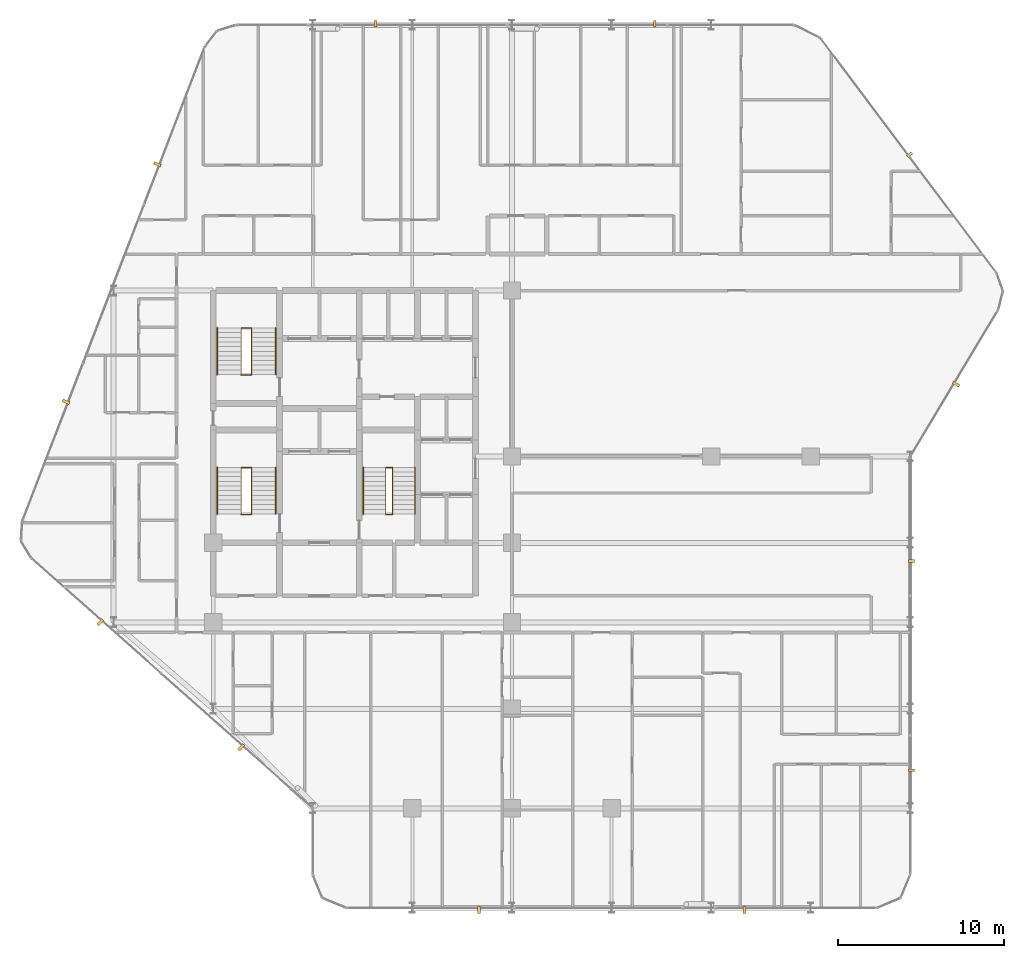
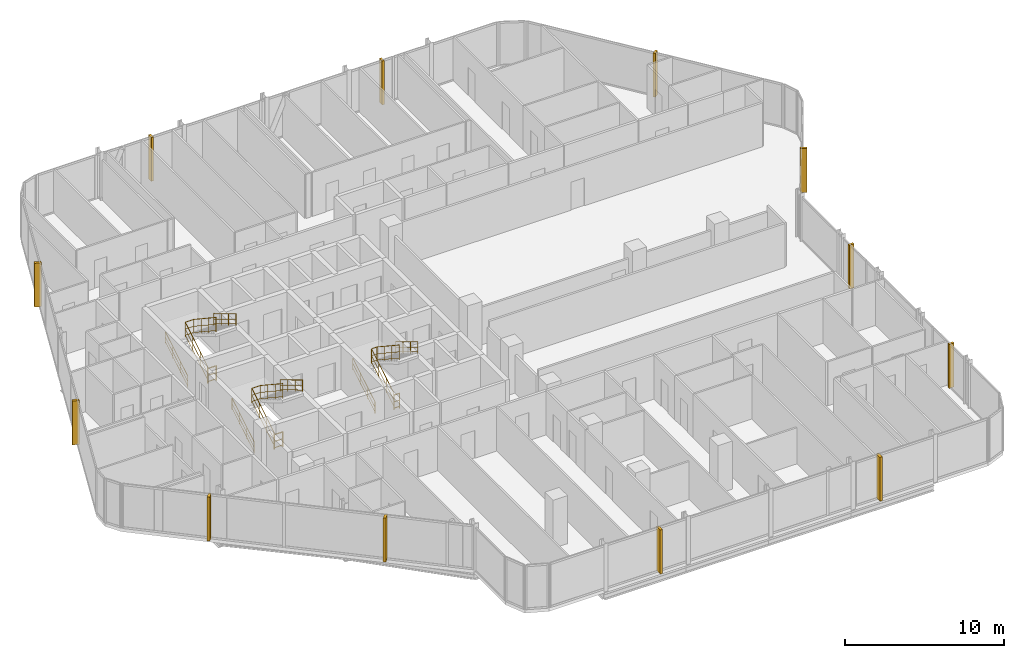
# One storey, part 30 of 30: 12 coverings, 12 railings.
"""IFC4 building model written with IfcOpenShell, lengths in metres."""

import ifcopenshell
import ifcopenshell.guid

model = None  # the IFC model being written
_history = None  # IfcOwnerHistory: only IFC2X3 demands one
_inside = {}  # id of a spatial element -> (the spatial element, [elements in it])
_under = {}  # id of a project, library or spatial element -> (it, [spatial elements below it])
_declared = {}  # id of a project -> (the project, [libraries it declares])
_typed = {}  # id of a type object -> (the type object, [elements of that type])
_made_of = {}  # id of a material, layer set ... -> (it, [elements and type objects made of it])


def new_model(schema):
    """Start an empty IFC model of exactly this schema.

    Asked for "IFC4X3", IfcOpenShell would pick the latest addendum, in which some entities
    have other attributes; the version numbers below select the first issue.
    IFC2X3 requires an IfcOwnerHistory on every rooted entity: one is made here for all.
    """
    global model, _history
    if schema == "IFC4X3":
        model = ifcopenshell.file(schema_version=(4, 3, 0, 0))
    else:
        model = ifcopenshell.file(schema=schema)
    _inside.clear()
    _under.clear()
    _declared.clear()
    _typed.clear()
    _made_of.clear()
    _history = None
    if model.schema == "IFC2X3":
        org = make("IfcOrganization", Name="unknown")
        user = make(
            "IfcPersonAndOrganization",
            ThePerson=make("IfcPerson", FamilyName="unknown"),
            TheOrganization=org,
        )
        app = make(
            "IfcApplication",
            ApplicationDeveloper=org,
            Version="unknown",
            ApplicationFullName="unknown",
            ApplicationIdentifier="unknown",
        )
        _history = make(
            "IfcOwnerHistory",
            OwningUser=user,
            OwningApplication=app,
            ChangeAction="ADDED",
            CreationDate=0,
        )
    return model


def make(cls, **values):
    """One entity of the class cls with the attributes given. An attribute that is None is left unset."""
    return model.create_entity(
        cls, **{name: value for name, value in values.items() if value is not None}
    )


def rooted(cls, **values):
    """An entity with a GlobalId (a new one), such as an element, a storey or a relation."""
    return make(cls, GlobalId=ifcopenshell.guid.new(), OwnerHistory=_history, **values)


def si_unit(unit_type, name, prefix=None):
    """IfcSIUnit, for example si_unit("LENGTHUNIT", "METRE", prefix="MILLI")."""
    return make("IfcSIUnit", UnitType=unit_type, Prefix=prefix, Name=name)


def assignment(units):
    """IfcUnitAssignment: the units of a project."""
    return None if units is None else make("IfcUnitAssignment", Units=units)


def point(xyz):
    """IfcCartesianPoint."""
    return None if xyz is None else make("IfcCartesianPoint", Coordinates=xyz)


def direction(xyz):
    """IfcDirection."""
    return None if xyz is None else make("IfcDirection", DirectionRatios=xyz)


def frame(location, z_axis=None, x_axis=None):
    """IfcAxis2Placement3D, a coordinate frame: its origin and axes. An axis left out is left unset."""
    return make(
        "IfcAxis2Placement3D",
        Location=point(location),
        Axis=direction(z_axis),
        RefDirection=direction(x_axis),
    )


def frame_2d(location, x_axis=None):
    """IfcAxis2Placement2D, a coordinate frame in the plane: its origin and x axis."""
    return make(
        "IfcAxis2Placement2D", Location=point(location), RefDirection=direction(x_axis)
    )


def origin():
    """The frame at (0, 0, 0) with its axes left unset."""
    return frame((0.0, 0.0, 0.0))


def origin_2d():
    """The frame at (0, 0) in the plane with its x axis left unset."""
    return frame_2d((0.0, 0.0))


def place(relative_to, where):
    """IfcLocalPlacement: puts the frame where relative to a parent placement (None: the world)."""
    return make(
        "IfcLocalPlacement", PlacementRelTo=relative_to, RelativePlacement=where
    )


def context(
    kind, dimensions, precision=None, world=None, true_north=None, identifier=None
):
    """IfcGeometricRepresentationContext, for example the 3D "Model" context."""
    return make(
        "IfcGeometricRepresentationContext",
        ContextIdentifier=identifier,
        ContextType=kind,
        CoordinateSpaceDimension=dimensions,
        Precision=precision,
        WorldCoordinateSystem=world,
        TrueNorth=true_north,
    )


def subcontext(parent, identifier, kind, view, scale=None):
    """IfcGeometricRepresentationSubContext, for example "Body" below "Model"."""
    return make(
        "IfcGeometricRepresentationSubContext",
        ContextIdentifier=identifier,
        ContextType=kind,
        ParentContext=parent,
        TargetScale=scale,
        TargetView=view,
    )


def project(units=None, contexts=None):
    """IfcProject with its units and contexts."""
    return rooted(
        "IfcProject",
        Name="project",
        RepresentationContexts=contexts,
        UnitsInContext=assignment(units),
    )


def spatial(cls, under=None, at=None, **own):
    """A site, building, storey or space (cls), placed at a placement, below another one or the project."""
    s = rooted(cls, ObjectPlacement=at, **own)
    if under is not None:
        _under.setdefault(under.id(), (under, []))[1].append(s)
    return s


def profile(cls, at=None, kind="AREA", **sizes):
    """A parametric profile (cls). Its sizes go by their IFC names, for example OverallWidth=200.0."""
    return make(cls, ProfileType=kind, Position=at, **sizes)


def rectangle(**sizes):
    """IfcRectangleProfileDef."""
    return profile("IfcRectangleProfileDef", **sizes)


def circle(**sizes):
    """IfcCircleProfileDef."""
    return profile("IfcCircleProfileDef", **sizes)


def extrude(swept, where, along, depth):
    """IfcExtrudedAreaSolid: the profile swept, set in the frame where, extruded along a direction by depth."""
    return make(
        "IfcExtrudedAreaSolid",
        SweptArea=swept,
        Position=where,
        ExtrudedDirection=direction(along),
        Depth=depth,
    )


def shape(context_of_items, identifier, shape_type, items):
    """IfcShapeRepresentation: the items that make up one representation, for example the "Body"."""
    return make(
        "IfcShapeRepresentation",
        ContextOfItems=context_of_items,
        RepresentationIdentifier=identifier,
        RepresentationType=shape_type,
        Items=items,
    )


def material(Name=None, Category=None):
    """IfcMaterial."""
    return make("IfcMaterial", Name=Name, Category=Category)


def layer(
    of_material, thickness, ventilated=None, Name=None, Category=None, Priority=None
):
    """IfcMaterialLayer: one layer of a wall or slab, of a material (None: an air gap)."""
    return make(
        "IfcMaterialLayer",
        Material=of_material,
        LayerThickness=thickness,
        IsVentilated=ventilated,
        Name=Name,
        Category=Category,
        Priority=Priority,
    )


def layer_set(layers, Name=None):
    """IfcMaterialLayerSet."""
    return make("IfcMaterialLayerSet", MaterialLayers=layers, LayerSetName=Name)


def made_of(thing, what):
    """Note that an element or type object is made of a material, layer set ...; save() writes the relation."""
    if what is not None:
        _made_of.setdefault(what.id(), (what, []))[1].append(thing)
    return thing


def type_object(cls, material=None, **own):
    """A type object (cls), such as IfcWallType, which elements share."""
    return made_of(rooted(cls, **own), material)


def element(
    cls,
    number,
    at=None,
    inside=None,
    cuts=None,
    type_object=None,
    material=None,
    context=None,
    identifier="Body",
    shape_type=None,
    held_by="IfcProductDefinitionShape",
    body=None,
    shapes=None,
    **own,
):
    """One element of the class cls, such as IfcWall. Its Tag is "e" and its number.

    at: its placement. inside: the storey or other place that contains it. cuts: it is an
    opening in that element (IfcRelVoidsElement). A single representation is given by context,
    identifier, shape_type and body (its items); several are given by shapes. held_by: the class
    of the entity that holds the representations. save() writes the other relations.
    """
    e = rooted(cls, Tag="e%d" % number, ObjectPlacement=at, **own)
    if body is not None:
        shapes = [shape(context, identifier, shape_type, body)]
    if shapes is not None:
        e.Representation = make(held_by, Representations=shapes)
    if inside is not None:
        _inside.setdefault(inside.id(), (inside, []))[1].append(e)
    if cuts is not None:
        rooted(
            "IfcRelVoidsElement", RelatingBuildingElement=cuts, RelatedOpeningElement=e
        )
    if type_object is not None:
        _typed.setdefault(type_object.id(), (type_object, []))[1].append(e)
    return made_of(e, material)


def aggregate(whole, parts):
    """IfcRelAggregates: a whole, such as a stair, and the parts it consists of."""
    return rooted("IfcRelAggregates", RelatingObject=whole, RelatedObjects=parts)


def save(model, path):
    """Write the relations noted so far, then the file.

    IfcRelAggregates (storeys below a building ...), IfcRelContainedInSpatialStructure (elements
    in a storey), IfcRelDefinesByType, IfcRelAssociatesMaterial and IfcRelDeclares: one each for
    every whole, place, type object, material and project.
    """
    for whole, parts in _under.values():
        aggregate(whole, parts)
    for where, things in _inside.values():
        rooted(
            "IfcRelContainedInSpatialStructure",
            RelatedElements=things,
            RelatingStructure=where,
        )
    for kind, things in _typed.values():
        rooted("IfcRelDefinesByType", RelatedObjects=things, RelatingType=kind)
    for what, things in _made_of.values():
        rooted("IfcRelAssociatesMaterial", RelatedObjects=things, RelatingMaterial=what)
    for by, libraries in _declared.values():
        rooted("IfcRelDeclares", RelatingContext=by, RelatedDefinitions=libraries)
    model.write(path)


model = new_model("IFC4")

# Units and contexts
model_context = context("Model", 3, precision=1e-05, world=origin(), true_north=direction((0.0, 1.0)))
body_context = subcontext(model_context, "Body", "Model", "MODEL_VIEW")
ifc_project = project(units=[si_unit("LENGTHUNIT", "METRE"), si_unit("AREAUNIT", "SQUARE_METRE"), si_unit("VOLUMEUNIT", "CUBIC_METRE"), si_unit("PLANEANGLEUNIT", "RADIAN"), si_unit("MASSUNIT", "GRAM", prefix="KILO")], contexts=[model_context])

# Site, building, storey
site_placement = place(None, origin())
site = spatial("IfcSite", under=ifc_project, at=site_placement, CompositionType="ELEMENT")
building_placement = place(site_placement, origin())
building = spatial("IfcBuilding", under=site, at=building_placement, Name="Keshet Zoharim Tower", CompositionType="ELEMENT")
storey_placement = place(building_placement, frame((0.0, 0.0, 116.800048828125)))
storey = spatial("IfcBuildingStorey", under=building, at=storey_placement, Name="L28", CompositionType="ELEMENT", Elevation=116.800048828125)

# Coverings
ifc_material_1 = material(Name="Concrete C50/60 precast", Category="concrete")
covering_type_1 = type_object("IfcCoveringType", Name="FIN-SOL-360", PredefinedType="CLADDING", material=ifc_material_1)
for number, where, z_axis, x_axis, name in (
    (1, (24.780029296875, 53.97998046875, 0.0), (0.0, 0.0, 1.0), (1.0, 0.0, 0.0), "L28 Vertical Precast Solar Fin 07"),
    (2, (41.593994140625, 53.97998046875, 0.0), (0.0, 0.0, 1.0), (1.0, 0.0, 0.0), "L28 Vertical Precast Solar Fin 08"),
    (3, (56.9609375, 46.0859375, 0.0), (0.0, 0.0, 1.0), (0.600000000002, -0.799999999998, 0.0), "L28 Vertical Precast Solar Fin 09"),
    (4, (57.080078125, 21.60009765625, 0.0), (0.0, 0.0, 1.0), (0.0, -1.0, 0.0), "L28 Vertical Precast Solar Fin 11"),
    (5, (57.080078125, 9.0, 0.0), (0.0, 0.0, 1.0), (0.0, -1.0, 0.0), "L28 Vertical Precast Solar Fin 12"),
):
    element("IfcCovering", number, at=place(storey_placement, frame(where, z_axis=z_axis, x_axis=x_axis)), inside=storey, type_object=covering_type_1, Name=name, PredefinedType="CLADDING", context=body_context, shape_type="SweptSolid", body=[
        extrude(rectangle(XDim=0.159912109375, YDim=0.360107421875, at=origin_2d()), origin(), (0.0, 0.0, 1.0), 3.3798828125),
    ])
covering_type_2 = type_object("IfcCoveringType", Name="FIN-SOL-450", PredefinedType="CLADDING", material=ifc_material_1)
for number, where, z_axis, x_axis, name in (
    (6, (47.0, 0.574951171875, 0.0), (0.0, 0.0, 1.0), (-1.0, 0.0, 0.0), "L28 Vertical Precast Solar Fin 01"),
    (7, (31.0, 0.574951171875, 0.0), (0.0, 0.0, 1.0), (-1.0, 0.0, 0.0), "L28 Vertical Precast Solar Fin 02"),
    (8, (16.676025390625, 10.376953125, 0.0), (0.0, 0.0, 1.0), (-0.747409318679, 0.664363838836, 0.0), "L28 Vertical Precast Solar Fin 03"),
    (9, (8.193115234375, 17.9169921875, 0.0), (0.0, 0.0, 1.0), (-0.747409318679, 0.664363838836, 0.0), "L28 Vertical Precast Solar Fin 04"),
    (10, (6.133056640625, 31.194091796875, 0.0), (0.0, 0.0, 1.0), (0.358990003907, 0.933341404361, 0.0), "L28 Vertical Precast Solar Fin 05"),
    (11, (11.637939453125, 45.507080078125, 0.0), (0.0, 0.0, 1.0), (0.358990003907, 0.933341404361, 0.0), "L28 Vertical Precast Solar Fin 06"),
    (12, (59.760986328125, 32.259033203125, 0.0), (0.0, 0.0, 1.0), (-0.514481501576, -0.857501477862, 0.0), "L28 Vertical Precast Solar Fin 10"),
):
    element("IfcCovering", number, at=place(storey_placement, frame(where, z_axis=z_axis, x_axis=x_axis)), inside=storey, type_object=covering_type_2, Name=name, PredefinedType="CLADDING", context=body_context, shape_type="SweptSolid", body=[
        extrude(rectangle(XDim=0.179931640625, YDim=0.449951171875, at=origin_2d()), origin(), (0.0, 0.0, 1.0), 3.3798828125),
    ])

# Railings
ifc_material_2 = material(Name="Steel S355", Category="steel")
ifc_layer_1 = layer(ifc_material_2, 0.050048828125)
ifc_layer_set_1 = layer_set([ifc_layer_1], Name="Steel S355")
railing_type_1 = type_object("IfcRailingType", Name="RL-HND-092", PredefinedType="HANDRAIL", material=ifc_layer_set_1)
railing_1_placement = place(storey_placement, frame((15.239990234375, 24.43994140625, 0.168212890625)))
element("IfcRailing", 13, at=railing_1_placement, inside=storey, type_object=railing_type_1, Name="L28 ST-01 Flight 1 Wall Handrail", PredefinedType="HANDRAIL", context=body_context, shape_type="SweptSolid", body=[
    extrude(circle(Radius=0.02392578125, at=origin_2d()), frame((0.0, 0.0, 0.89599609375), z_axis=(0.0, 0.857275202839, 0.514858452973), x_axis=(-1.0, 0.0, 0.0)), (0.0, 0.0, 1.0), 3.26611328125),
    extrude(circle(Radius=0.01611328125, at=origin_2d()), frame((0.0, 0.0, 0.478271484375), z_axis=(0.0, 0.857275202839, 0.514858452973), x_axis=(-1.0, 0.0, 0.0)), (0.0, 0.0, 1.0), 3.26611328125),
    extrude(circle(Radius=0.01611328125, at=origin_2d()), frame((0.0, 0.0, 0.1201171875), z_axis=(0.0, 0.857275202839, 0.514858452973), x_axis=(-1.0, 0.0, 0.0)), (0.0, 0.0, 1.0), 3.26611328125),
    extrude(circle(Radius=0.02099609375, at=origin_2d()), origin(), (0.0, 0.0, 1.0), 0.871826171875),
    extrude(circle(Radius=0.02099609375, at=origin_2d()), frame((0.0, 0.933349609375, 0.560546875)), (0.0, 0.0, 1.0), 0.871826171875),
    extrude(circle(Radius=0.02099609375, at=origin_2d()), frame((0.0, 1.86669921875, 1.12109375)), (0.0, 0.0, 1.0), 0.871826171875),
    extrude(circle(Radius=0.02099609375, at=origin_2d()), frame((0.0, 2.800048828125, 1.681640625)), (0.0, 0.0, 1.0), 0.871826171875),
])
railing_2_placement = place(storey_placement, frame((18.760009765625, 27.239990234375, 2.01806640625)))
element("IfcRailing", 14, at=railing_2_placement, inside=storey, type_object=railing_type_1, Name="L28 ST-01 Flight 2 Wall Handrail", PredefinedType="HANDRAIL", context=body_context, shape_type="SweptSolid", body=[
    extrude(circle(Radius=0.02392578125, at=origin_2d()), frame((0.0, 0.0, 0.89599609375), z_axis=(0.0, -0.857242210791, 0.514913383045), x_axis=(1.0, 0.0, 0.0)), (0.0, 0.0, 1.0), 3.266357421875),
    extrude(circle(Radius=0.01611328125, at=origin_2d()), frame((0.0, 0.0, 0.478271484375), z_axis=(0.0, -0.857242210791, 0.514913383045), x_axis=(1.0, 0.0, 0.0)), (0.0, 0.0, 1.0), 3.266357421875),
    extrude(circle(Radius=0.01611328125, at=origin_2d()), frame((0.0, 0.0, 0.1201171875), z_axis=(0.0, -0.857242210791, 0.514913383045), x_axis=(1.0, 0.0, 0.0)), (0.0, 0.0, 1.0), 3.266357421875),
    extrude(circle(Radius=0.02099609375, at=origin_2d()), origin(), (0.0, 0.0, 1.0), 0.871826171875),
    extrude(circle(Radius=0.02099609375, at=origin_2d()), frame((0.0, -0.933349609375, 0.560546875)), (0.0, 0.0, 1.0), 0.871826171875),
    extrude(circle(Radius=0.02099609375, at=origin_2d()), frame((0.0, -1.86669921875, 1.121337890625)), (0.0, 0.0, 1.0), 0.871826171875),
    extrude(circle(Radius=0.02099609375, at=origin_2d()), frame((0.0, -2.800048828125, 1.681884765625)), (0.0, 0.0, 1.0), 0.871826171875),
])
railing_3_placement = place(storey_placement, frame((15.239990234375, 32.840087890625, 0.168212890625)))
element("IfcRailing", 15, at=railing_3_placement, inside=storey, type_object=railing_type_1, Name="L28 ST-02 Flight 1 Wall Handrail", PredefinedType="HANDRAIL", context=body_context, shape_type="SweptSolid", body=[
    extrude(circle(Radius=0.02392578125, at=origin_2d()), frame((0.0, 0.0, 0.89599609375), z_axis=(0.0, 0.857255387014, 0.514891446264), x_axis=(-1.0, 0.0, 0.0)), (0.0, 0.0, 1.0), 3.26611328125),
    extrude(circle(Radius=0.01611328125, at=origin_2d()), frame((0.0, 0.0, 0.478271484375), z_axis=(0.0, 0.857255387014, 0.514891446264), x_axis=(-1.0, 0.0, 0.0)), (0.0, 0.0, 1.0), 3.26611328125),
    extrude(circle(Radius=0.01611328125, at=origin_2d()), frame((0.0, 0.0, 0.1201171875), z_axis=(0.0, 0.857255387014, 0.514891446264), x_axis=(-1.0, 0.0, 0.0)), (0.0, 0.0, 1.0), 3.26611328125),
    extrude(circle(Radius=0.02099609375, at=origin_2d()), origin(), (0.0, 0.0, 1.0), 0.871826171875),
    extrude(circle(Radius=0.02099609375, at=origin_2d()), frame((0.0, 0.933349609375, 0.560546875)), (0.0, 0.0, 1.0), 0.871826171875),
    extrude(circle(Radius=0.02099609375, at=origin_2d()), frame((0.0, 1.866455078125, 1.12109375)), (0.0, 0.0, 1.0), 0.871826171875),
    extrude(circle(Radius=0.02099609375, at=origin_2d()), frame((0.0, 2.7998046875, 1.681640625)), (0.0, 0.0, 1.0), 0.871826171875),
])
railing_4_placement = place(storey_placement, frame((18.760009765625, 35.639892578125, 2.01806640625)))
element("IfcRailing", 16, at=railing_4_placement, inside=storey, type_object=railing_type_1, Name="L28 ST-02 Flight 2 Wall Handrail", PredefinedType="HANDRAIL", context=body_context, shape_type="SweptSolid", body=[
    extrude(circle(Radius=0.02392578125, at=origin_2d()), frame((0.0, 0.0, 0.89599609375), z_axis=(0.0, -0.857222391501, 0.514946377315), x_axis=(1.0, 0.0, 0.0)), (0.0, 0.0, 1.0), 3.26611328125),
    extrude(circle(Radius=0.01611328125, at=origin_2d()), frame((0.0, 0.0, 0.478271484375), z_axis=(0.0, -0.857222391501, 0.514946377315), x_axis=(1.0, 0.0, 0.0)), (0.0, 0.0, 1.0), 3.26611328125),
    extrude(circle(Radius=0.01611328125, at=origin_2d()), frame((0.0, 0.0, 0.1201171875), z_axis=(0.0, -0.857222391501, 0.514946377315), x_axis=(1.0, 0.0, 0.0)), (0.0, 0.0, 1.0), 3.26611328125),
    extrude(circle(Radius=0.02099609375, at=origin_2d()), origin(), (0.0, 0.0, 1.0), 0.871826171875),
    extrude(circle(Radius=0.02099609375, at=origin_2d()), frame((0.0, -0.933349609375, 0.560546875)), (0.0, 0.0, 1.0), 0.871826171875),
    extrude(circle(Radius=0.02099609375, at=origin_2d()), frame((0.0, -1.866455078125, 1.121337890625)), (0.0, 0.0, 1.0), 0.871826171875),
    extrude(circle(Radius=0.02099609375, at=origin_2d()), frame((0.0, -2.7998046875, 1.681884765625)), (0.0, 0.0, 1.0), 0.871826171875),
])
railing_5_placement = place(storey_placement, frame((24.0400390625, 24.43994140625, 0.168212890625)))
element("IfcRailing", 17, at=railing_5_placement, inside=storey, type_object=railing_type_1, Name="L28 ST-03 Flight 1 Wall Handrail", PredefinedType="HANDRAIL", context=body_context, shape_type="SweptSolid", body=[
    extrude(circle(Radius=0.02392578125, at=origin_2d()), frame((0.0, 0.0, 0.89599609375), z_axis=(0.0, 0.857275202839, 0.514858452973), x_axis=(-1.0, 0.0, 0.0)), (0.0, 0.0, 1.0), 3.26611328125),
    extrude(circle(Radius=0.01611328125, at=origin_2d()), frame((0.0, 0.0, 0.478271484375), z_axis=(0.0, 0.857275202839, 0.514858452973), x_axis=(-1.0, 0.0, 0.0)), (0.0, 0.0, 1.0), 3.26611328125),
    extrude(circle(Radius=0.01611328125, at=origin_2d()), frame((0.0, 0.0, 0.1201171875), z_axis=(0.0, 0.857275202839, 0.514858452973), x_axis=(-1.0, 0.0, 0.0)), (0.0, 0.0, 1.0), 3.26611328125),
    extrude(circle(Radius=0.02099609375, at=origin_2d()), origin(), (0.0, 0.0, 1.0), 0.871826171875),
    extrude(circle(Radius=0.02099609375, at=origin_2d()), frame((0.0, 0.933349609375, 0.560546875)), (0.0, 0.0, 1.0), 0.871826171875),
    extrude(circle(Radius=0.02099609375, at=origin_2d()), frame((0.0, 1.86669921875, 1.12109375)), (0.0, 0.0, 1.0), 0.871826171875),
    extrude(circle(Radius=0.02099609375, at=origin_2d()), frame((0.0, 2.800048828125, 1.681640625)), (0.0, 0.0, 1.0), 0.871826171875),
])
railing_6_placement = place(storey_placement, frame((27.159912109375, 27.239990234375, 2.01806640625)))
element("IfcRailing", 18, at=railing_6_placement, inside=storey, type_object=railing_type_1, Name="L28 ST-03 Flight 2 Wall Handrail", PredefinedType="HANDRAIL", context=body_context, shape_type="SweptSolid", body=[
    extrude(circle(Radius=0.02392578125, at=origin_2d()), frame((0.0, 0.0, 0.89599609375), z_axis=(0.0, -0.857242210791, 0.514913383045), x_axis=(1.0, 0.0, 0.0)), (0.0, 0.0, 1.0), 3.266357421875),
    extrude(circle(Radius=0.01611328125, at=origin_2d()), frame((0.0, 0.0, 0.478271484375), z_axis=(0.0, -0.857242210791, 0.514913383045), x_axis=(1.0, 0.0, 0.0)), (0.0, 0.0, 1.0), 3.266357421875),
    extrude(circle(Radius=0.01611328125, at=origin_2d()), frame((0.0, 0.0, 0.1201171875), z_axis=(0.0, -0.857242210791, 0.514913383045), x_axis=(1.0, 0.0, 0.0)), (0.0, 0.0, 1.0), 3.266357421875),
    extrude(circle(Radius=0.02099609375, at=origin_2d()), origin(), (0.0, 0.0, 1.0), 0.871826171875),
    extrude(circle(Radius=0.02099609375, at=origin_2d()), frame((0.0, -0.933349609375, 0.560546875)), (0.0, 0.0, 1.0), 0.871826171875),
    extrude(circle(Radius=0.02099609375, at=origin_2d()), frame((0.0, -1.86669921875, 1.121337890625)), (0.0, 0.0, 1.0), 0.871826171875),
    extrude(circle(Radius=0.02099609375, at=origin_2d()), frame((0.0, -2.800048828125, 1.681884765625)), (0.0, 0.0, 1.0), 0.871826171875),
])
ifc_layer_2 = layer(ifc_material_2, 0.06005859375)
ifc_layer_set_2 = layer_set([ifc_layer_2], Name="Steel S355")
railing_type_2 = type_object("IfcRailingType", Name="RL-STG-115", PredefinedType="GUARDRAIL", material=ifc_layer_set_2)
railing_7_placement = place(storey_placement, frame((16.68994140625, 24.43994140625, 0.168212890625)))
element("IfcRailing", 19, at=railing_7_placement, inside=storey, type_object=railing_type_2, Name="L28 ST-01 Inner Well Guardrail", PredefinedType="GUARDRAIL", context=body_context, shape_type="SweptSolid", body=[
    extrude(circle(Radius=0.02392578125, at=origin_2d()), frame((0.0, 0.0, 1.1259765625), z_axis=(0.0, 0.857275202839, 0.514858452973), x_axis=(-1.0, 0.0, 0.0)), (0.0, 0.0, 1.0), 3.26611328125),
    extrude(circle(Radius=0.01611328125, at=origin_2d()), frame((0.0, 0.0, 0.597900390625), z_axis=(0.0, 0.857275202839, 0.514858452973), x_axis=(-1.0, 0.0, 0.0)), (0.0, 0.0, 1.0), 3.26611328125),
    extrude(circle(Radius=0.01611328125, at=origin_2d()), frame((0.0, 0.0, 0.1201171875), z_axis=(0.0, 0.857275202839, 0.514858452973), x_axis=(-1.0, 0.0, 0.0)), (0.0, 0.0, 1.0), 3.26611328125),
    extrude(circle(Radius=0.02392578125, at=origin_2d()), frame((0.0, 2.800048828125, 2.8076171875), z_axis=(1.0, 0.0, 0.0), x_axis=(0.0, 1.0, 0.0)), (0.0, 0.0, 1.0), 0.6201171875),
    extrude(circle(Radius=0.01611328125, at=origin_2d()), frame((0.0, 2.800048828125, 2.279541015625), z_axis=(1.0, 0.0, 0.0), x_axis=(0.0, 1.0, 0.0)), (0.0, 0.0, 1.0), 0.6201171875),
    extrude(circle(Radius=0.01611328125, at=origin_2d()), frame((0.0, 2.800048828125, 1.8017578125), z_axis=(1.0, 0.0, 0.0), x_axis=(0.0, 1.0, 0.0)), (0.0, 0.0, 1.0), 0.6201171875),
    extrude(circle(Radius=0.02392578125, at=origin_2d()), frame((0.6201171875, 2.800048828125, 2.8076171875), z_axis=(0.0, -0.834326358476, 0.551270829586), x_axis=(1.0, 0.0, 0.0)), (0.0, 0.0, 1.0), 3.35595703125),
    extrude(circle(Radius=0.01611328125, at=origin_2d()), frame((0.6201171875, 2.800048828125, 2.279541015625), z_axis=(0.0, -0.834326358476, 0.551270829586), x_axis=(1.0, 0.0, 0.0)), (0.0, 0.0, 1.0), 3.35595703125),
    extrude(circle(Radius=0.01611328125, at=origin_2d()), frame((0.6201171875, 2.800048828125, 1.8017578125), z_axis=(0.0, -0.834326358476, 0.551270829586), x_axis=(1.0, 0.0, 0.0)), (0.0, 0.0, 1.0), 3.35595703125),
    extrude(circle(Radius=0.02099609375, at=origin_2d()), origin(), (0.0, 0.0, 1.0), 1.101806640625),
    extrude(circle(Radius=0.02099609375, at=origin_2d()), frame((0.0, 0.933349609375, 0.560546875)), (0.0, 0.0, 1.0), 1.101806640625),
    extrude(circle(Radius=0.02099609375, at=origin_2d()), frame((0.0, 1.86669921875, 1.12109375)), (0.0, 0.0, 1.0), 1.101806640625),
    extrude(circle(Radius=0.02099609375, at=origin_2d()), frame((0.0, 2.800048828125, 1.681640625)), (0.0, 0.0, 1.0), 1.101806640625),
    extrude(circle(Radius=0.02099609375, at=origin_2d()), frame((0.6201171875, 2.800048828125, 1.681640625)), (0.0, 0.0, 1.0), 1.101806640625),
    extrude(circle(Radius=0.02099609375, at=origin_2d()), frame((0.6201171875, 1.86669921875, 2.29833984375)), (0.0, 0.0, 1.0), 1.101806640625),
    extrude(circle(Radius=0.02099609375, at=origin_2d()), frame((0.6201171875, 0.933349609375, 2.9150390625)), (0.0, 0.0, 1.0), 1.101806640625),
    extrude(circle(Radius=0.02099609375, at=origin_2d()), frame((0.6201171875, 0.0, 3.53173828125)), (0.0, 0.0, 1.0), 1.101806640625),
])
railing_8_placement = place(storey_placement, frame((16.68994140625, 24.409912109375, 0.0)))
element("IfcRailing", 20, at=railing_8_placement, inside=storey, type_object=railing_type_2, Name="L28 ST-01 Stairwell Floor Guardrail", PredefinedType="GUARDRAIL", context=body_context, shape_type="SweptSolid", body=[
    extrude(circle(Radius=0.02392578125, at=origin_2d()), frame((0.0, 0.0, 1.1259765625), z_axis=(1.0, 0.0, 0.0), x_axis=(0.0, 1.0, 0.0)), (0.0, 0.0, 1.0), 0.6201171875),
    extrude(circle(Radius=0.01611328125, at=origin_2d()), frame((0.0, 0.0, 0.597900390625), z_axis=(1.0, 0.0, 0.0), x_axis=(0.0, 1.0, 0.0)), (0.0, 0.0, 1.0), 0.6201171875),
    extrude(circle(Radius=0.01611328125, at=origin_2d()), frame((0.0, 0.0, 0.1201171875), z_axis=(1.0, 0.0, 0.0), x_axis=(0.0, 1.0, 0.0)), (0.0, 0.0, 1.0), 0.6201171875),
    extrude(circle(Radius=0.02099609375, at=origin_2d()), origin(), (0.0, 0.0, 1.0), 1.101806640625),
    extrude(circle(Radius=0.02099609375, at=origin_2d()), frame((0.6201171875, 0.0, 0.0)), (0.0, 0.0, 1.0), 1.101806640625),
])
railing_9_placement = place(storey_placement, frame((16.68994140625, 32.840087890625, 0.168212890625)))
element("IfcRailing", 21, at=railing_9_placement, inside=storey, type_object=railing_type_2, Name="L28 ST-02 Inner Well Guardrail", PredefinedType="GUARDRAIL", context=body_context, shape_type="SweptSolid", body=[
    extrude(circle(Radius=0.02392578125, at=origin_2d()), frame((0.0, 0.0, 1.1259765625), z_axis=(0.0, 0.857255387014, 0.514891446264), x_axis=(-1.0, 0.0, 0.0)), (0.0, 0.0, 1.0), 3.26611328125),
    extrude(circle(Radius=0.01611328125, at=origin_2d()), frame((0.0, 0.0, 0.597900390625), z_axis=(0.0, 0.857255387014, 0.514891446264), x_axis=(-1.0, 0.0, 0.0)), (0.0, 0.0, 1.0), 3.26611328125),
    extrude(circle(Radius=0.01611328125, at=origin_2d()), frame((0.0, 0.0, 0.1201171875), z_axis=(0.0, 0.857255387014, 0.514891446264), x_axis=(-1.0, 0.0, 0.0)), (0.0, 0.0, 1.0), 3.26611328125),
    extrude(circle(Radius=0.02392578125, at=origin_2d()), frame((0.0, 2.7998046875, 2.8076171875), z_axis=(1.0, 0.0, 0.0), x_axis=(0.0, 1.0, 0.0)), (0.0, 0.0, 1.0), 0.6201171875),
    extrude(circle(Radius=0.01611328125, at=origin_2d()), frame((0.0, 2.7998046875, 2.279541015625), z_axis=(1.0, 0.0, 0.0), x_axis=(0.0, 1.0, 0.0)), (0.0, 0.0, 1.0), 0.6201171875),
    extrude(circle(Radius=0.01611328125, at=origin_2d()), frame((0.0, 2.7998046875, 1.8017578125), z_axis=(1.0, 0.0, 0.0), x_axis=(0.0, 1.0, 0.0)), (0.0, 0.0, 1.0), 0.6201171875),
    extrude(circle(Radius=0.02392578125, at=origin_2d()), frame((0.6201171875, 2.7998046875, 2.8076171875), z_axis=(0.0, -0.834304248922, 0.551304290053), x_axis=(1.0, 0.0, 0.0)), (0.0, 0.0, 1.0), 3.35595703125),
    extrude(circle(Radius=0.01611328125, at=origin_2d()), frame((0.6201171875, 2.7998046875, 2.279541015625), z_axis=(0.0, -0.834304248922, 0.551304290053), x_axis=(1.0, 0.0, 0.0)), (0.0, 0.0, 1.0), 3.35595703125),
    extrude(circle(Radius=0.01611328125, at=origin_2d()), frame((0.6201171875, 2.7998046875, 1.8017578125), z_axis=(0.0, -0.834304248922, 0.551304290053), x_axis=(1.0, 0.0, 0.0)), (0.0, 0.0, 1.0), 3.35595703125),
    extrude(circle(Radius=0.02099609375, at=origin_2d()), origin(), (0.0, 0.0, 1.0), 1.101806640625),
    extrude(circle(Radius=0.02099609375, at=origin_2d()), frame((0.0, 0.933349609375, 0.560546875)), (0.0, 0.0, 1.0), 1.101806640625),
    extrude(circle(Radius=0.02099609375, at=origin_2d()), frame((0.0, 1.866455078125, 1.12109375)), (0.0, 0.0, 1.0), 1.101806640625),
    extrude(circle(Radius=0.02099609375, at=origin_2d()), frame((0.0, 2.7998046875, 1.681640625)), (0.0, 0.0, 1.0), 1.101806640625),
    extrude(circle(Radius=0.02099609375, at=origin_2d()), frame((0.6201171875, 2.7998046875, 1.681640625)), (0.0, 0.0, 1.0), 1.101806640625),
    extrude(circle(Radius=0.02099609375, at=origin_2d()), frame((0.6201171875, 1.866455078125, 2.29833984375)), (0.0, 0.0, 1.0), 1.101806640625),
    extrude(circle(Radius=0.02099609375, at=origin_2d()), frame((0.6201171875, 0.933349609375, 2.9150390625)), (0.0, 0.0, 1.0), 1.101806640625),
    extrude(circle(Radius=0.02099609375, at=origin_2d()), frame((0.6201171875, 0.0, 3.53173828125)), (0.0, 0.0, 1.0), 1.101806640625),
])
railing_10_placement = place(storey_placement, frame((16.68994140625, 32.81005859375, 0.0)))
element("IfcRailing", 22, at=railing_10_placement, inside=storey, type_object=railing_type_2, Name="L28 ST-02 Stairwell Floor Guardrail", PredefinedType="GUARDRAIL", context=body_context, shape_type="SweptSolid", body=[
    extrude(circle(Radius=0.02392578125, at=origin_2d()), frame((0.0, 0.0, 1.1259765625), z_axis=(1.0, 0.0, 0.0), x_axis=(0.0, 1.0, 0.0)), (0.0, 0.0, 1.0), 0.6201171875),
    extrude(circle(Radius=0.01611328125, at=origin_2d()), frame((0.0, 0.0, 0.597900390625), z_axis=(1.0, 0.0, 0.0), x_axis=(0.0, 1.0, 0.0)), (0.0, 0.0, 1.0), 0.6201171875),
    extrude(circle(Radius=0.01611328125, at=origin_2d()), frame((0.0, 0.0, 0.1201171875), z_axis=(1.0, 0.0, 0.0), x_axis=(0.0, 1.0, 0.0)), (0.0, 0.0, 1.0), 0.6201171875),
    extrude(circle(Radius=0.02099609375, at=origin_2d()), origin(), (0.0, 0.0, 1.0), 1.101806640625),
    extrude(circle(Radius=0.02099609375, at=origin_2d()), frame((0.6201171875, 0.0, 0.0)), (0.0, 0.0, 1.0), 1.101806640625),
])
railing_11_placement = place(storey_placement, frame((25.39990234375, 24.43994140625, 0.168212890625)))
element("IfcRailing", 23, at=railing_11_placement, inside=storey, type_object=railing_type_2, Name="L28 ST-03 Inner Well Guardrail", PredefinedType="GUARDRAIL", context=body_context, shape_type="SweptSolid", body=[
    extrude(circle(Radius=0.02392578125, at=origin_2d()), frame((0.0, 0.0, 1.1259765625), z_axis=(0.0, 0.857275202839, 0.514858452973), x_axis=(-1.0, 0.0, 0.0)), (0.0, 0.0, 1.0), 3.26611328125),
    extrude(circle(Radius=0.01611328125, at=origin_2d()), frame((0.0, 0.0, 0.597900390625), z_axis=(0.0, 0.857275202839, 0.514858452973), x_axis=(-1.0, 0.0, 0.0)), (0.0, 0.0, 1.0), 3.26611328125),
    extrude(circle(Radius=0.01611328125, at=origin_2d()), frame((0.0, 0.0, 0.1201171875), z_axis=(0.0, 0.857275202839, 0.514858452973), x_axis=(-1.0, 0.0, 0.0)), (0.0, 0.0, 1.0), 3.26611328125),
    extrude(circle(Radius=0.02392578125, at=origin_2d()), frame((0.0, 2.800048828125, 2.8076171875), z_axis=(1.0, 0.0, 0.0), x_axis=(0.0, 1.0, 0.0)), (0.0, 0.0, 1.0), 0.400146484375),
    extrude(circle(Radius=0.01611328125, at=origin_2d()), frame((0.0, 2.800048828125, 2.279541015625), z_axis=(1.0, 0.0, 0.0), x_axis=(0.0, 1.0, 0.0)), (0.0, 0.0, 1.0), 0.400146484375),
    extrude(circle(Radius=0.01611328125, at=origin_2d()), frame((0.0, 2.800048828125, 1.8017578125), z_axis=(1.0, 0.0, 0.0), x_axis=(0.0, 1.0, 0.0)), (0.0, 0.0, 1.0), 0.400146484375),
    extrude(circle(Radius=0.02392578125, at=origin_2d()), frame((0.400146484375, 2.800048828125, 2.8076171875), z_axis=(0.0, -0.834326358476, 0.551270829586), x_axis=(1.0, 0.0, 0.0)), (0.0, 0.0, 1.0), 3.35595703125),
    extrude(circle(Radius=0.01611328125, at=origin_2d()), frame((0.400146484375, 2.800048828125, 2.279541015625), z_axis=(0.0, -0.834326358476, 0.551270829586), x_axis=(1.0, 0.0, 0.0)), (0.0, 0.0, 1.0), 3.35595703125),
    extrude(circle(Radius=0.01611328125, at=origin_2d()), frame((0.400146484375, 2.800048828125, 1.8017578125), z_axis=(0.0, -0.834326358476, 0.551270829586), x_axis=(1.0, 0.0, 0.0)), (0.0, 0.0, 1.0), 3.35595703125),
    extrude(circle(Radius=0.02099609375, at=origin_2d()), origin(), (0.0, 0.0, 1.0), 1.101806640625),
    extrude(circle(Radius=0.02099609375, at=origin_2d()), frame((0.0, 0.933349609375, 0.560546875)), (0.0, 0.0, 1.0), 1.101806640625),
    extrude(circle(Radius=0.02099609375, at=origin_2d()), frame((0.0, 1.86669921875, 1.12109375)), (0.0, 0.0, 1.0), 1.101806640625),
    extrude(circle(Radius=0.02099609375, at=origin_2d()), frame((0.0, 2.800048828125, 1.681640625)), (0.0, 0.0, 1.0), 1.101806640625),
    extrude(circle(Radius=0.02099609375, at=origin_2d()), frame((0.400146484375, 2.800048828125, 1.681640625)), (0.0, 0.0, 1.0), 1.101806640625),
    extrude(circle(Radius=0.02099609375, at=origin_2d()), frame((0.400146484375, 1.86669921875, 2.29833984375)), (0.0, 0.0, 1.0), 1.101806640625),
    extrude(circle(Radius=0.02099609375, at=origin_2d()), frame((0.400146484375, 0.933349609375, 2.9150390625)), (0.0, 0.0, 1.0), 1.101806640625),
    extrude(circle(Radius=0.02099609375, at=origin_2d()), frame((0.400146484375, 0.0, 3.53173828125)), (0.0, 0.0, 1.0), 1.101806640625),
])
railing_12_placement = place(storey_placement, frame((25.39990234375, 24.409912109375, 0.0)))
element("IfcRailing", 24, at=railing_12_placement, inside=storey, type_object=railing_type_2, Name="L28 ST-03 Stairwell Floor Guardrail", PredefinedType="GUARDRAIL", context=body_context, shape_type="SweptSolid", body=[
    extrude(circle(Radius=0.02392578125, at=origin_2d()), frame((0.0, 0.0, 1.1259765625), z_axis=(1.0, 0.0, 0.0), x_axis=(0.0, 1.0, 0.0)), (0.0, 0.0, 1.0), 0.400146484375),
    extrude(circle(Radius=0.01611328125, at=origin_2d()), frame((0.0, 0.0, 0.597900390625), z_axis=(1.0, 0.0, 0.0), x_axis=(0.0, 1.0, 0.0)), (0.0, 0.0, 1.0), 0.400146484375),
    extrude(circle(Radius=0.01611328125, at=origin_2d()), frame((0.0, 0.0, 0.1201171875), z_axis=(1.0, 0.0, 0.0), x_axis=(0.0, 1.0, 0.0)), (0.0, 0.0, 1.0), 0.400146484375),
    extrude(circle(Radius=0.02099609375, at=origin_2d()), origin(), (0.0, 0.0, 1.0), 1.101806640625),
    extrude(circle(Radius=0.02099609375, at=origin_2d()), frame((0.400146484375, 0.0, 0.0)), (0.0, 0.0, 1.0), 1.101806640625),
])

save(model, "model.ifc")
